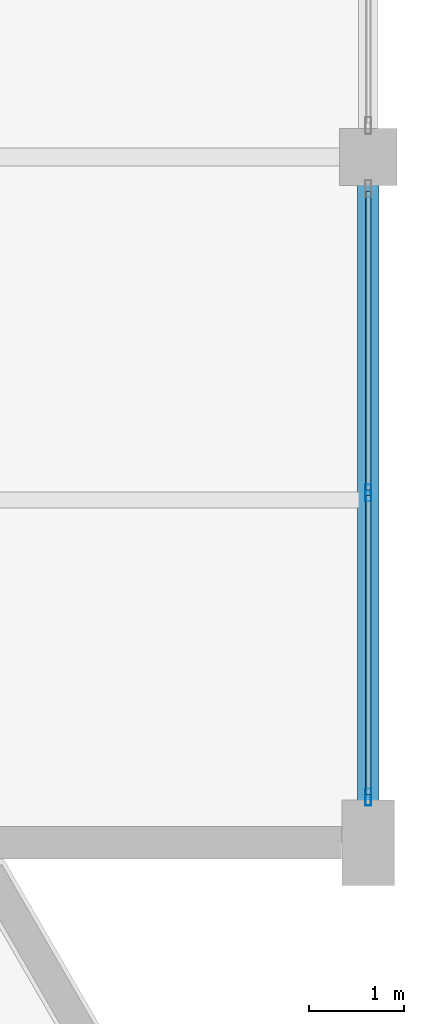
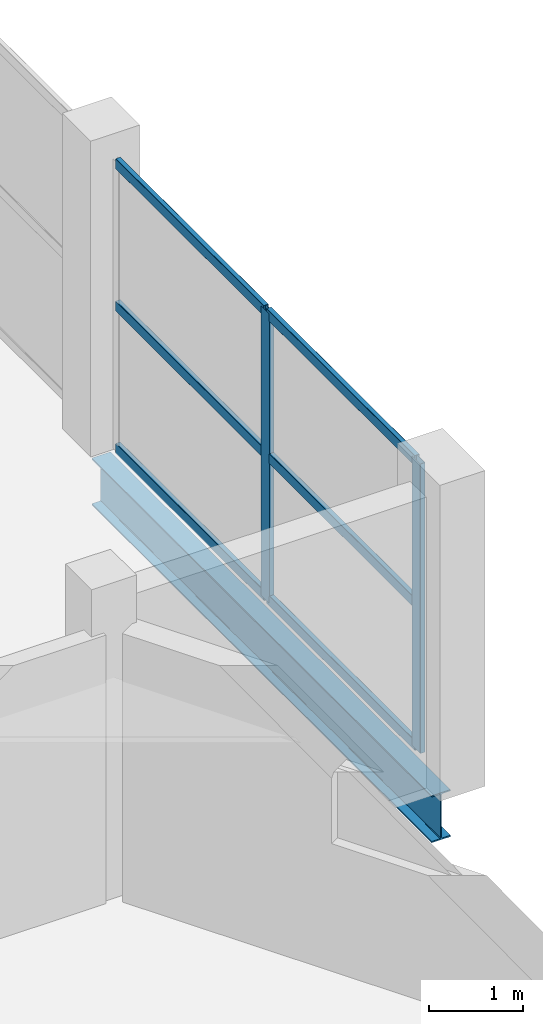
# One storey, part 75 of 127: 8 members, 1 beam, 1 element without a shape of its own.
"""IFC4 building model written with IfcOpenShell, lengths in metres."""

from ifc_helpers import new_model, si_unit, direction, frame, origin, origin_2d, place, context, subcontext, project, spatial, hollow_rectangle, i_section, extrude, material, layer, layer_set, material_profile, profile_set, type_object, element, aggregate, save


model = new_model("IFC4")

# Units and contexts
model_context = context("Model", 3, precision=1e-05, world=origin(), true_north=direction((0.0, 1.0)))
body_context = subcontext(model_context, "Body", "Model", "MODEL_VIEW")
ifc_project = project(units=[si_unit("LENGTHUNIT", "METRE"), si_unit("AREAUNIT", "SQUARE_METRE"), si_unit("VOLUMEUNIT", "CUBIC_METRE"), si_unit("PLANEANGLEUNIT", "RADIAN"), si_unit("MASSUNIT", "GRAM", prefix="KILO")], contexts=[model_context])

# Site, building, storey
site_placement = place(None, origin())
site = spatial("IfcSite", under=ifc_project, at=site_placement, CompositionType="ELEMENT")
building_placement = place(site_placement, origin())
building = spatial("IfcBuilding", under=site, at=building_placement, Name="Dunvalen Ferry Terminal", CompositionType="ELEMENT")
storey_placement = place(building_placement, frame((0.0, 0.0, 5.760009765625)))
storey = spatial("IfcBuildingStorey", under=building, at=storey_placement, Name="L01", CompositionType="ELEMENT", Elevation=5.760009765625)

# Curtain wall, members
ifc_material_1 = material(Name="Anodised marine aluminium and solar-control glazing", Category="aluminium")
ifc_layer = layer(ifc_material_1, 0.219970703125, Name="Anodised marine aluminium and solar-control glazing")
ifc_layer_set = layer_set([ifc_layer], Name="Anodised marine aluminium and solar-control glazing")
curtain_wall_type = type_object("IfcCurtainWallType", Name="ENV-CW-SYS-04", PredefinedType="NOTDEFINED", material=ifc_layer_set)
curtain_wall_placement = place(storey_placement, origin())
curtain_wall = element("IfcCurtainWall", 1, at=curtain_wall_placement, inside=storey, type_object=curtain_wall_type, Name="L01 Curtain Wall CW-V2E-L01-1", PredefinedType="NOTDEFINED")
ifc_material_2 = material(Name="Anodised marine aluminium EN AW-6063 T6", Category="aluminium")
ifc_material_profile_1 = material_profile(ifc_material_2, hollow_rectangle(XDim=0.06005859375, YDim=0.179931640625, WallThickness=0.00341796875, InnerFilletRadius=0.00341796875, OuterFilletRadius=0.007080078125, at=origin_2d()), Name="Anodised marine aluminium EN AW-6063 T6")
ifc_profile_set_1 = profile_set([ifc_material_profile_1], Name="Anodised marine aluminium EN AW-6063 T6")
member_type_1 = type_object("IfcMemberType", Name="ENV-CW-MUL-2", PredefinedType="MULLION", material=ifc_profile_set_1)
member_1_placement = place(storey_placement, frame((168.0, 58.080078125, 0.02001953125), z_axis=(0.0, 0.0, 1.0), x_axis=(-1.0, 0.0, 0.0)))
member_1 = element("IfcMember", 2, at=member_1_placement, type_object=member_type_1, Name="CW-04 mullion 1", PredefinedType="MULLION", context=body_context, shape_type="SweptSolid", body=[
    extrude(hollow_rectangle(XDim=0.06005859375, YDim=0.179931640625, WallThickness=0.00341796875, InnerFilletRadius=0.00341796875, OuterFilletRadius=0.007080078125, at=origin_2d()), origin(), (0.0, 0.0, 1.0), 3.739990234375),
])
member_2_placement = place(storey_placement, frame((168.0, 61.27490234375, 0.02001953125), z_axis=(0.0, 0.0, 1.0), x_axis=(-1.0, 0.0, 0.0)))
member_2 = element("IfcMember", 3, at=member_2_placement, type_object=member_type_1, Name="CW-04 mullion 2", PredefinedType="MULLION", context=body_context, shape_type="SweptSolid", body=[
    extrude(hollow_rectangle(XDim=0.06005859375, YDim=0.179931640625, WallThickness=0.00341796875, InnerFilletRadius=0.00341796875, OuterFilletRadius=0.007080078125, at=origin_2d()), origin(), (0.0, 0.0, 1.0), 3.739990234375),
])
ifc_material_profile_2 = material_profile(ifc_material_2, hollow_rectangle(XDim=0.06005859375, YDim=0.135009765625, WallThickness=0.003173828125, InnerFilletRadius=0.003173828125, OuterFilletRadius=0.00634765625, at=origin_2d()), Name="Anodised marine aluminium EN AW-6063 T6")
ifc_profile_set_2 = profile_set([ifc_material_profile_2], Name="Anodised marine aluminium EN AW-6063 T6")
member_type_2 = type_object("IfcMemberType", Name="ENV-CW-TRN-2", PredefinedType="USERDEFINED", material=ifc_profile_set_2)
member_3_placement = place(storey_placement, frame((168.0, 58.110107421875, 0.050048828125), z_axis=(0.0, 1.0, 0.0), x_axis=(-1.0, 0.0, 0.0)))
member_3 = element("IfcMember", 4, at=member_3_placement, type_object=member_type_2, Name="CW-04 transom 1.1", ObjectType="TRANSOM", PredefinedType="USERDEFINED", context=body_context, shape_type="SweptSolid", body=[
    extrude(hollow_rectangle(XDim=0.06005859375, YDim=0.135009765625, WallThickness=0.003173828125, InnerFilletRadius=0.003173828125, OuterFilletRadius=0.00634765625, at=origin_2d()), origin(), (0.0, 0.0, 1.0), 3.135009765625),
])
member_4_placement = place(storey_placement, frame((168.0, 58.110107421875, 1.889892578125), z_axis=(0.0, 1.0, 0.0), x_axis=(-1.0, 0.0, 0.0)))
member_4 = element("IfcMember", 5, at=member_4_placement, type_object=member_type_2, Name="CW-04 transom 1.2", ObjectType="TRANSOM", PredefinedType="USERDEFINED", context=body_context, shape_type="SweptSolid", body=[
    extrude(hollow_rectangle(XDim=0.06005859375, YDim=0.135009765625, WallThickness=0.003173828125, InnerFilletRadius=0.003173828125, OuterFilletRadius=0.00634765625, at=origin_2d()), origin(), (0.0, 0.0, 1.0), 3.135009765625),
])
member_5_placement = place(storey_placement, frame((168.0, 58.110107421875, 3.72998046875), z_axis=(0.0, 1.0, 0.0), x_axis=(-1.0, 0.0, 0.0)))
member_5 = element("IfcMember", 6, at=member_5_placement, type_object=member_type_2, Name="CW-04 transom 1.3", ObjectType="TRANSOM", PredefinedType="USERDEFINED", context=body_context, shape_type="SweptSolid", body=[
    extrude(hollow_rectangle(XDim=0.06005859375, YDim=0.135009765625, WallThickness=0.003173828125, InnerFilletRadius=0.003173828125, OuterFilletRadius=0.00634765625, at=origin_2d()), origin(), (0.0, 0.0, 1.0), 3.135009765625),
])
member_6_placement = place(storey_placement, frame((168.0, 61.304931640625, 0.050048828125), z_axis=(0.0, 1.0, 0.0), x_axis=(-1.0, 0.0, 0.0)))
member_6 = element("IfcMember", 7, at=member_6_placement, type_object=member_type_2, Name="CW-04 transom 2.1", ObjectType="TRANSOM", PredefinedType="USERDEFINED", context=body_context, shape_type="SweptSolid", body=[
    extrude(hollow_rectangle(XDim=0.06005859375, YDim=0.135009765625, WallThickness=0.003173828125, InnerFilletRadius=0.003173828125, OuterFilletRadius=0.00634765625, at=origin_2d()), origin(), (0.0, 0.0, 1.0), 3.135009765625),
])
member_7_placement = place(storey_placement, frame((168.0, 61.304931640625, 1.889892578125), z_axis=(0.0, 1.0, 0.0), x_axis=(-1.0, 0.0, 0.0)))
member_7 = element("IfcMember", 8, at=member_7_placement, type_object=member_type_2, Name="CW-04 transom 2.2", ObjectType="TRANSOM", PredefinedType="USERDEFINED", context=body_context, shape_type="SweptSolid", body=[
    extrude(hollow_rectangle(XDim=0.06005859375, YDim=0.135009765625, WallThickness=0.003173828125, InnerFilletRadius=0.003173828125, OuterFilletRadius=0.00634765625, at=origin_2d()), origin(), (0.0, 0.0, 1.0), 3.135009765625),
])
member_8_placement = place(storey_placement, frame((168.0, 61.304931640625, 3.72998046875), z_axis=(0.0, 1.0, 0.0), x_axis=(-1.0, 0.0, 0.0)))
member_8 = element("IfcMember", 9, at=member_8_placement, type_object=member_type_2, Name="CW-04 transom 2.3", ObjectType="TRANSOM", PredefinedType="USERDEFINED", context=body_context, shape_type="SweptSolid", body=[
    extrude(hollow_rectangle(XDim=0.06005859375, YDim=0.135009765625, WallThickness=0.003173828125, InnerFilletRadius=0.003173828125, OuterFilletRadius=0.00634765625, at=origin_2d()), origin(), (0.0, 0.0, 1.0), 3.135009765625),
])
aggregate(curtain_wall, [member_1, member_2, member_3, member_4, member_5, member_6, member_7, member_8])

# Beam
ifc_material_3 = material(Name="Steel S355", Category="steel")
ifc_material_profile_3 = material_profile(ifc_material_3, i_section(OverallWidth=0.228271484375, OverallDepth=0.607666015625, WebThickness=0.010986328125, FlangeThickness=0.017333984375, FilletRadius=0.0126953125, at=origin_2d()), Name="Steel S355")
ifc_profile_set_3 = profile_set([ifc_material_profile_3], Name="Steel S355")
beam_type = type_object("IfcBeamType", Name="STR-BM-UKB610", PredefinedType="BEAM", material=ifc_profile_set_3)
beam_placement = place(storey_placement, frame((168.0, 57.60009765625, -0.563720703125), z_axis=(0.0, 1.0, 0.0), x_axis=(-1.0, 0.0, 0.0)))
element("IfcBeam", 10, at=beam_placement, inside=storey, type_object=beam_type, Name="L01 V2M Primary Girder Y-075", PredefinedType="BEAM", context=body_context, shape_type="SweptSolid", body=[
    extrude(i_section(OverallWidth=0.228271484375, OverallDepth=0.607666015625, WebThickness=0.010986328125, FlangeThickness=0.017333984375, FilletRadius=0.0126953125, at=origin_2d()), origin(), (0.0, 0.0, 1.0), 7.199951171875),
])

save(model, "model.ifc")
